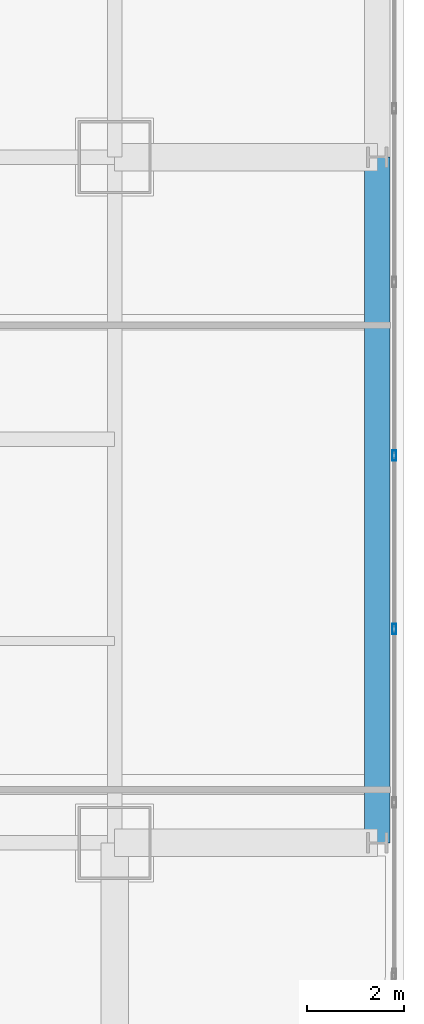
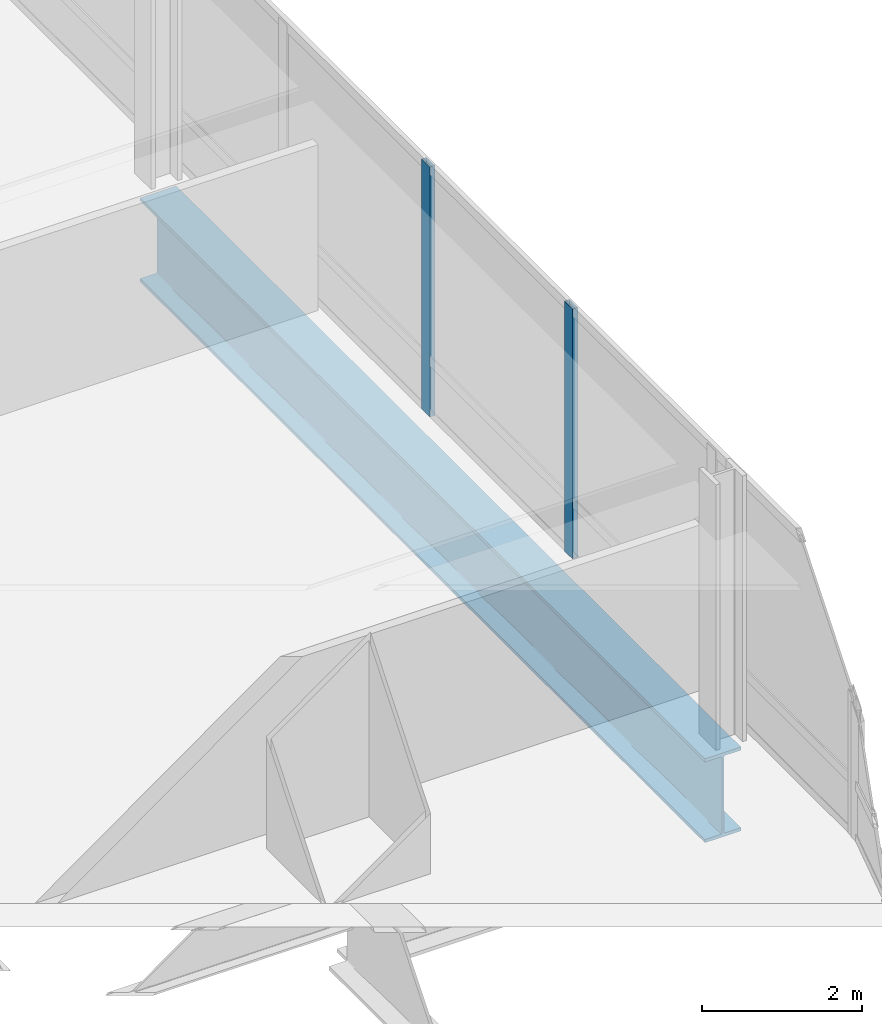
# One storey, part 14 of 35: 2 members, 1 beam, 1 element without a shape of its own.
"""IFC4 building model written with IfcOpenShell, lengths in metres."""

from ifc_helpers import new_model, si_unit, direction, frame, origin, origin_2d, place, context, subcontext, project, spatial, hollow_rectangle, i_section, extrude, material, material_profile, profile_set, type_object, element, aggregate, save


model = new_model("IFC4")

# Units and contexts
model_context = context("Model", 3, precision=1e-05, world=origin(), true_north=direction((0.0, 1.0)))
body_context = subcontext(model_context, "Body", "Model", "MODEL_VIEW")
ifc_project = project(units=[si_unit("LENGTHUNIT", "METRE"), si_unit("AREAUNIT", "SQUARE_METRE"), si_unit("VOLUMEUNIT", "CUBIC_METRE"), si_unit("PLANEANGLEUNIT", "RADIAN"), si_unit("MASSUNIT", "GRAM", prefix="KILO")], contexts=[model_context])

# Site, building, storey
site_placement = place(None, origin())
site = spatial("IfcSite", under=ifc_project, at=site_placement, CompositionType="ELEMENT")
building_placement = place(site_placement, origin())
building = spatial("IfcBuilding", under=site, at=building_placement, Name="Punatoya Terracotta Tower", CompositionType="ELEMENT")
storey_placement = place(building_placement, frame((0.0, 0.0, 68.699951171875)))
storey = spatial("IfcBuildingStorey", under=building, at=storey_placement, Name="L15", CompositionType="ELEMENT", Elevation=68.699951171875)

# Beam
ifc_material_1 = material(Name="Steel S460", Category="steel")
ifc_material_profile_1 = material_profile(ifc_material_1, i_section(OverallWidth=0.52001953125, OverallDepth=1.280029296875, WebThickness=0.031982421875, FlangeThickness=0.050048828125, FilletRadius=0.01806640625, at=origin_2d()))
ifc_profile_set_1 = profile_set([ifc_material_profile_1], Name="Steel S460")
beam_type = type_object("IfcBeamType", Name="BM-TG-NCK", PredefinedType="BEAM", material=ifc_profile_set_1)
beam_placement = place(storey_placement, frame((24.5, -17.5, -0.8798828125), z_axis=(0.0, 1.0, 0.0), x_axis=(-1.0, 0.0, 0.0)))
element("IfcBeam", 1, at=beam_placement, inside=storey, type_object=beam_type, Name="BM-L15-PER-E1", PredefinedType="BEAM", context=body_context, shape_type="SweptSolid", body=[
    extrude(i_section(OverallWidth=0.52001953125, OverallDepth=1.280029296875, WebThickness=0.031982421875, FlangeThickness=0.050048828125, FilletRadius=0.01806640625, at=origin_2d()), origin(), (0.0, 0.0, 1.0), 14.10009765625),
])

# Curtain wall, members
ifc_material_2 = material(Name="Aluminium 6063-T6 + Double Low-E Glass", Category="aluminium")
curtain_wall_type = type_object("IfcCurtainWallType", Name="CW-M1", PredefinedType="NOTDEFINED", material=ifc_material_2)
curtain_wall_placement = place(storey_placement, origin())
curtain_wall = element("IfcCurtainWall", 2, at=curtain_wall_placement, inside=storey, type_object=curtain_wall_type, Name="L15 Curtain Wall CW-L15-E05-1", PredefinedType="NOTDEFINED")
ifc_material_3 = material(Name="Aluminium 6063-T6", Category="aluminium")
ifc_material_profile_2 = material_profile(ifc_material_3, hollow_rectangle(XDim=0.074951171875, YDim=0.2099609375, WallThickness=0.00439453125, at=origin_2d()))
ifc_profile_set_2 = profile_set([ifc_material_profile_2], Name="Aluminium 6063-T6")
member_type = type_object("IfcMemberType", Name="CW-MUL-M1", PredefinedType="MULLION", material=ifc_profile_set_2)
member_1_placement = place(storey_placement, frame((24.85009765625, -13.10205078125, 0.0), z_axis=(0.0, 0.0, 1.0), x_axis=(1.0, 0.0, 0.0)))
member_1 = element("IfcMember", 3, at=member_1_placement, type_object=member_type, Name="CW-L15-E05-1 Mullion 02", PredefinedType="MULLION", context=body_context, shape_type="SweptSolid", body=[
    extrude(hollow_rectangle(XDim=0.074951171875, YDim=0.2099609375, WallThickness=0.00439453125, at=origin_2d()), origin(), (0.0, 0.0, 1.0), 3.81005859375),
])
member_2_placement = place(storey_placement, frame((24.85009765625, -9.534912109375, 0.0), z_axis=(0.0, 0.0, 1.0), x_axis=(1.0, 0.0, 0.0)))
member_2 = element("IfcMember", 4, at=member_2_placement, type_object=member_type, Name="CW-L15-E05-1 Mullion 03", PredefinedType="MULLION", context=body_context, shape_type="SweptSolid", body=[
    extrude(hollow_rectangle(XDim=0.074951171875, YDim=0.2099609375, WallThickness=0.00439453125, at=origin_2d()), origin(), (0.0, 0.0, 1.0), 3.81005859375),
])
aggregate(curtain_wall, [member_1, member_2])

save(model, "model.ifc")
